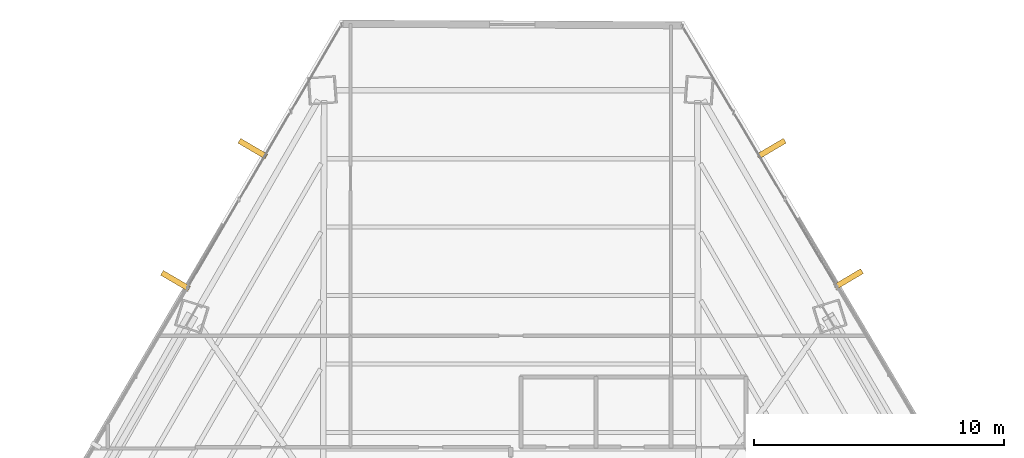
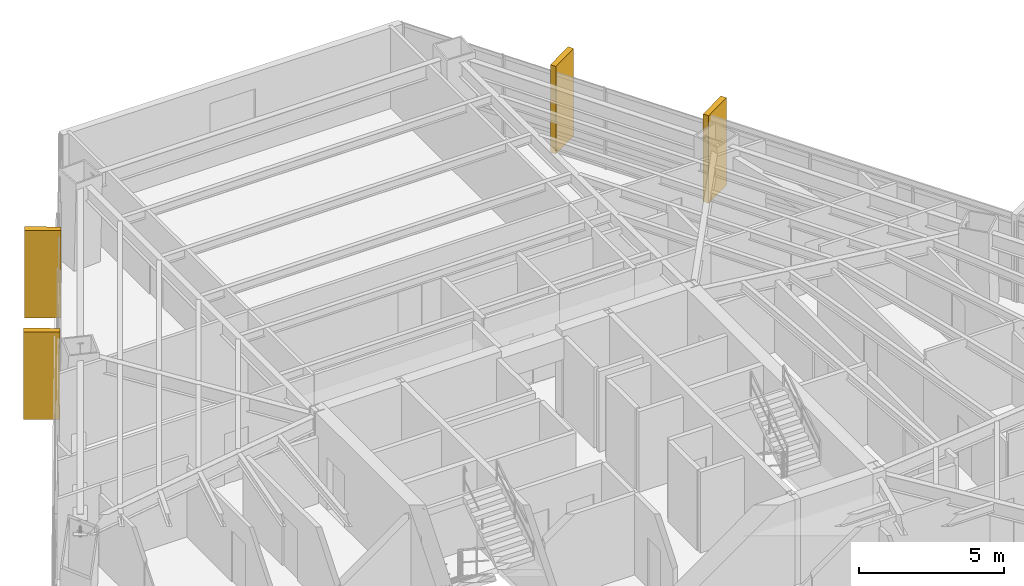
# One storey, part 37 of 37: 4 coverings.
"""IFC4 building model written with IfcOpenShell, lengths in metres."""

import ifcopenshell
import ifcopenshell.guid

model = None  # the IFC model being written
_history = None  # IfcOwnerHistory: only IFC2X3 demands one
_inside = {}  # id of a spatial element -> (the spatial element, [elements in it])
_under = {}  # id of a project, library or spatial element -> (it, [spatial elements below it])
_declared = {}  # id of a project -> (the project, [libraries it declares])
_typed = {}  # id of a type object -> (the type object, [elements of that type])
_made_of = {}  # id of a material, layer set ... -> (it, [elements and type objects made of it])


def new_model(schema):
    """Start an empty IFC model of exactly this schema.

    Asked for "IFC4X3", IfcOpenShell would pick the latest addendum, in which some entities
    have other attributes; the version numbers below select the first issue.
    IFC2X3 requires an IfcOwnerHistory on every rooted entity: one is made here for all.
    """
    global model, _history
    if schema == "IFC4X3":
        model = ifcopenshell.file(schema_version=(4, 3, 0, 0))
    else:
        model = ifcopenshell.file(schema=schema)
    _inside.clear()
    _under.clear()
    _declared.clear()
    _typed.clear()
    _made_of.clear()
    _history = None
    if model.schema == "IFC2X3":
        org = make("IfcOrganization", Name="unknown")
        user = make(
            "IfcPersonAndOrganization",
            ThePerson=make("IfcPerson", FamilyName="unknown"),
            TheOrganization=org,
        )
        app = make(
            "IfcApplication",
            ApplicationDeveloper=org,
            Version="unknown",
            ApplicationFullName="unknown",
            ApplicationIdentifier="unknown",
        )
        _history = make(
            "IfcOwnerHistory",
            OwningUser=user,
            OwningApplication=app,
            ChangeAction="ADDED",
            CreationDate=0,
        )
    return model


def make(cls, **values):
    """One entity of the class cls with the attributes given. An attribute that is None is left unset."""
    return model.create_entity(
        cls, **{name: value for name, value in values.items() if value is not None}
    )


def rooted(cls, **values):
    """An entity with a GlobalId (a new one), such as an element, a storey or a relation."""
    return make(cls, GlobalId=ifcopenshell.guid.new(), OwnerHistory=_history, **values)


def si_unit(unit_type, name, prefix=None):
    """IfcSIUnit, for example si_unit("LENGTHUNIT", "METRE", prefix="MILLI")."""
    return make("IfcSIUnit", UnitType=unit_type, Prefix=prefix, Name=name)


def assignment(units):
    """IfcUnitAssignment: the units of a project."""
    return None if units is None else make("IfcUnitAssignment", Units=units)


def point(xyz):
    """IfcCartesianPoint."""
    return None if xyz is None else make("IfcCartesianPoint", Coordinates=xyz)


def direction(xyz):
    """IfcDirection."""
    return None if xyz is None else make("IfcDirection", DirectionRatios=xyz)


def frame(location, z_axis=None, x_axis=None):
    """IfcAxis2Placement3D, a coordinate frame: its origin and axes. An axis left out is left unset."""
    return make(
        "IfcAxis2Placement3D",
        Location=point(location),
        Axis=direction(z_axis),
        RefDirection=direction(x_axis),
    )


def frame_2d(location, x_axis=None):
    """IfcAxis2Placement2D, a coordinate frame in the plane: its origin and x axis."""
    return make(
        "IfcAxis2Placement2D", Location=point(location), RefDirection=direction(x_axis)
    )


def origin():
    """The frame at (0, 0, 0) with its axes left unset."""
    return frame((0.0, 0.0, 0.0))


def origin_2d():
    """The frame at (0, 0) in the plane with its x axis left unset."""
    return frame_2d((0.0, 0.0))


def place(relative_to, where):
    """IfcLocalPlacement: puts the frame where relative to a parent placement (None: the world)."""
    return make(
        "IfcLocalPlacement", PlacementRelTo=relative_to, RelativePlacement=where
    )


def context(
    kind, dimensions, precision=None, world=None, true_north=None, identifier=None
):
    """IfcGeometricRepresentationContext, for example the 3D "Model" context."""
    return make(
        "IfcGeometricRepresentationContext",
        ContextIdentifier=identifier,
        ContextType=kind,
        CoordinateSpaceDimension=dimensions,
        Precision=precision,
        WorldCoordinateSystem=world,
        TrueNorth=true_north,
    )


def subcontext(parent, identifier, kind, view, scale=None):
    """IfcGeometricRepresentationSubContext, for example "Body" below "Model"."""
    return make(
        "IfcGeometricRepresentationSubContext",
        ContextIdentifier=identifier,
        ContextType=kind,
        ParentContext=parent,
        TargetScale=scale,
        TargetView=view,
    )


def project(units=None, contexts=None):
    """IfcProject with its units and contexts."""
    return rooted(
        "IfcProject",
        Name="project",
        RepresentationContexts=contexts,
        UnitsInContext=assignment(units),
    )


def spatial(cls, under=None, at=None, **own):
    """A site, building, storey or space (cls), placed at a placement, below another one or the project."""
    s = rooted(cls, ObjectPlacement=at, **own)
    if under is not None:
        _under.setdefault(under.id(), (under, []))[1].append(s)
    return s


def profile(cls, at=None, kind="AREA", **sizes):
    """A parametric profile (cls). Its sizes go by their IFC names, for example OverallWidth=200.0."""
    return make(cls, ProfileType=kind, Position=at, **sizes)


def rectangle(**sizes):
    """IfcRectangleProfileDef."""
    return profile("IfcRectangleProfileDef", **sizes)


def extrude(swept, where, along, depth):
    """IfcExtrudedAreaSolid: the profile swept, set in the frame where, extruded along a direction by depth."""
    return make(
        "IfcExtrudedAreaSolid",
        SweptArea=swept,
        Position=where,
        ExtrudedDirection=direction(along),
        Depth=depth,
    )


def shape(context_of_items, identifier, shape_type, items):
    """IfcShapeRepresentation: the items that make up one representation, for example the "Body"."""
    return make(
        "IfcShapeRepresentation",
        ContextOfItems=context_of_items,
        RepresentationIdentifier=identifier,
        RepresentationType=shape_type,
        Items=items,
    )


def source(mapping_origin, context_of_items, identifier, shape_type, items):
    """IfcRepresentationMap: a shape defined once, which mapped items show again and again."""
    return make(
        "IfcRepresentationMap",
        MappingOrigin=mapping_origin,
        MappedRepresentation=shape(context_of_items, identifier, shape_type, items),
    )


def transform(
    local_origin,
    x_axis=None,
    y_axis=None,
    z_axis=None,
    scale=None,
    scale2=None,
    scale3=None,
    uniform=True,
):
    """IfcCartesianTransformationOperator3D, or its non-uniform kind. x_axis, y_axis, z_axis: its Axis1, 2, 3."""
    if uniform:
        return make(
            "IfcCartesianTransformationOperator3D",
            Axis1=direction(x_axis),
            Axis2=direction(y_axis),
            LocalOrigin=point(local_origin),
            Scale=scale,
            Axis3=direction(z_axis),
        )
    return make(
        "IfcCartesianTransformationOperator3DnonUniform",
        Axis1=direction(x_axis),
        Axis2=direction(y_axis),
        LocalOrigin=point(local_origin),
        Scale=scale,
        Axis3=direction(z_axis),
        Scale2=scale2,
        Scale3=scale3,
    )


def mapped(mapping_source, mapping_target):
    """IfcMappedItem: shows the shape of a source again, moved by a transform."""
    return make(
        "IfcMappedItem", MappingSource=mapping_source, MappingTarget=mapping_target
    )


def material(Name=None, Category=None):
    """IfcMaterial."""
    return make("IfcMaterial", Name=Name, Category=Category)


def layer(
    of_material, thickness, ventilated=None, Name=None, Category=None, Priority=None
):
    """IfcMaterialLayer: one layer of a wall or slab, of a material (None: an air gap)."""
    return make(
        "IfcMaterialLayer",
        Material=of_material,
        LayerThickness=thickness,
        IsVentilated=ventilated,
        Name=Name,
        Category=Category,
        Priority=Priority,
    )


def layer_set(layers, Name=None):
    """IfcMaterialLayerSet."""
    return make("IfcMaterialLayerSet", MaterialLayers=layers, LayerSetName=Name)


def made_of(thing, what):
    """Note that an element or type object is made of a material, layer set ...; save() writes the relation."""
    if what is not None:
        _made_of.setdefault(what.id(), (what, []))[1].append(thing)
    return thing


def type_object(cls, material=None, **own):
    """A type object (cls), such as IfcWallType, which elements share."""
    return made_of(rooted(cls, **own), material)


def type_shapes(of_type, sources):
    """Give a type object the sources (RepresentationMaps) that its elements show as mapped items."""
    of_type.RepresentationMaps = sources


def element(
    cls,
    number,
    at=None,
    inside=None,
    cuts=None,
    type_object=None,
    material=None,
    context=None,
    identifier="Body",
    shape_type=None,
    held_by="IfcProductDefinitionShape",
    body=None,
    shapes=None,
    **own,
):
    """One element of the class cls, such as IfcWall. Its Tag is "e" and its number.

    at: its placement. inside: the storey or other place that contains it. cuts: it is an
    opening in that element (IfcRelVoidsElement). A single representation is given by context,
    identifier, shape_type and body (its items); several are given by shapes. held_by: the class
    of the entity that holds the representations. save() writes the other relations.
    """
    e = rooted(cls, Tag="e%d" % number, ObjectPlacement=at, **own)
    if body is not None:
        shapes = [shape(context, identifier, shape_type, body)]
    if shapes is not None:
        e.Representation = make(held_by, Representations=shapes)
    if inside is not None:
        _inside.setdefault(inside.id(), (inside, []))[1].append(e)
    if cuts is not None:
        rooted(
            "IfcRelVoidsElement", RelatingBuildingElement=cuts, RelatedOpeningElement=e
        )
    if type_object is not None:
        _typed.setdefault(type_object.id(), (type_object, []))[1].append(e)
    return made_of(e, material)


def aggregate(whole, parts):
    """IfcRelAggregates: a whole, such as a stair, and the parts it consists of."""
    return rooted("IfcRelAggregates", RelatingObject=whole, RelatedObjects=parts)


def save(model, path):
    """Write the relations noted so far, then the file.

    IfcRelAggregates (storeys below a building ...), IfcRelContainedInSpatialStructure (elements
    in a storey), IfcRelDefinesByType, IfcRelAssociatesMaterial and IfcRelDeclares: one each for
    every whole, place, type object, material and project.
    """
    for whole, parts in _under.values():
        aggregate(whole, parts)
    for where, things in _inside.values():
        rooted(
            "IfcRelContainedInSpatialStructure",
            RelatedElements=things,
            RelatingStructure=where,
        )
    for kind, things in _typed.values():
        rooted("IfcRelDefinesByType", RelatedObjects=things, RelatingType=kind)
    for what, things in _made_of.values():
        rooted("IfcRelAssociatesMaterial", RelatedObjects=things, RelatingMaterial=what)
    for by, libraries in _declared.values():
        rooted("IfcRelDeclares", RelatingContext=by, RelatedDefinitions=libraries)
    model.write(path)


model = new_model("IFC4")

# Units and contexts
model_context = context("Model", 3, precision=1e-05, world=origin(), true_north=direction((0.0, 1.0)))
body_context = subcontext(model_context, "Body", "Model", "MODEL_VIEW")
ifc_project = project(units=[si_unit("LENGTHUNIT", "METRE"), si_unit("AREAUNIT", "SQUARE_METRE"), si_unit("VOLUMEUNIT", "CUBIC_METRE"), si_unit("PLANEANGLEUNIT", "RADIAN"), si_unit("MASSUNIT", "GRAM", prefix="KILO")], contexts=[model_context])

# Site, building, storey
site_placement = place(None, origin())
site = spatial("IfcSite", under=ifc_project, at=site_placement, CompositionType="ELEMENT")
building_placement = place(site_placement, origin())
building = spatial("IfcBuilding", under=site, at=building_placement, Name="Caelisora Broadcast Tower", CompositionType="ELEMENT")
storey_placement = place(building_placement, frame((0.0, 0.0, 101.75)))
storey = spatial("IfcBuildingStorey", under=building, at=storey_placement, Name="L26", CompositionType="ELEMENT", Elevation=101.75)

# Coverings
ifc_material = material(Name="Kiln-Fired Terracotta Spandrel Rainscreen Cladding", Category="ceramic")
ifc_layer = layer(ifc_material, 0.044921875, Name="Kiln-Fired Terracotta Spandrel Rainscreen Cladding")
ifc_layer_set = layer_set([ifc_layer], Name="Kiln-Fired Terracotta Spandrel Rainscreen Cladding")
covering_type = type_object("IfcCoveringType", Name="CL-1", PredefinedType="CLADDING", material=ifc_layer_set)
shared_shape = source(origin(), body_context, "Body", "SweptSolid", [
    extrude(rectangle(XDim=0.219970703125, YDim=1.25, at=origin_2d()), origin(), (0.0, 0.0, 1.0), 3.68994140625),
])
type_shapes(covering_type, [shared_shape])
for number, where, z_axis, x_axis, name in (
    (1, (48.40625, 44.072021484375, -0.02001953125), (0.0, 0.0, 1.0), (0.509492029423, -0.860475375565, 0.0), "L26 vertical solar fin cladding #1-1"),
    (2, (51.49072265625, 38.86181640625, -0.02001953125), (0.0, 0.0, 1.0), (0.509492029423, -0.860475375565, 0.0), "L26 vertical solar fin cladding #1-2"),
    (3, (24.607666015625, 38.796875, -0.02001953125), (0.0, 0.0, 1.0), (0.505431492718, 0.862866737202, 0.0), "L26 vertical solar fin cladding #3-3"),
    (4, (27.69677734375, 44.070068359375, -0.02001953125), (0.0, 0.0, 1.0), (0.505431492718, 0.862866737202, 0.0), "L26 vertical solar fin cladding #3-4"),
):
    element("IfcCovering", number, at=place(storey_placement, frame(where, z_axis=z_axis, x_axis=x_axis)), inside=storey, type_object=covering_type, Name=name, PredefinedType="CLADDING", context=body_context, shape_type="MappedRepresentation", body=[
        mapped(shared_shape, transform((0.0, 0.0, 0.0), scale=1.0)),
    ])

save(model, "model.ifc")
